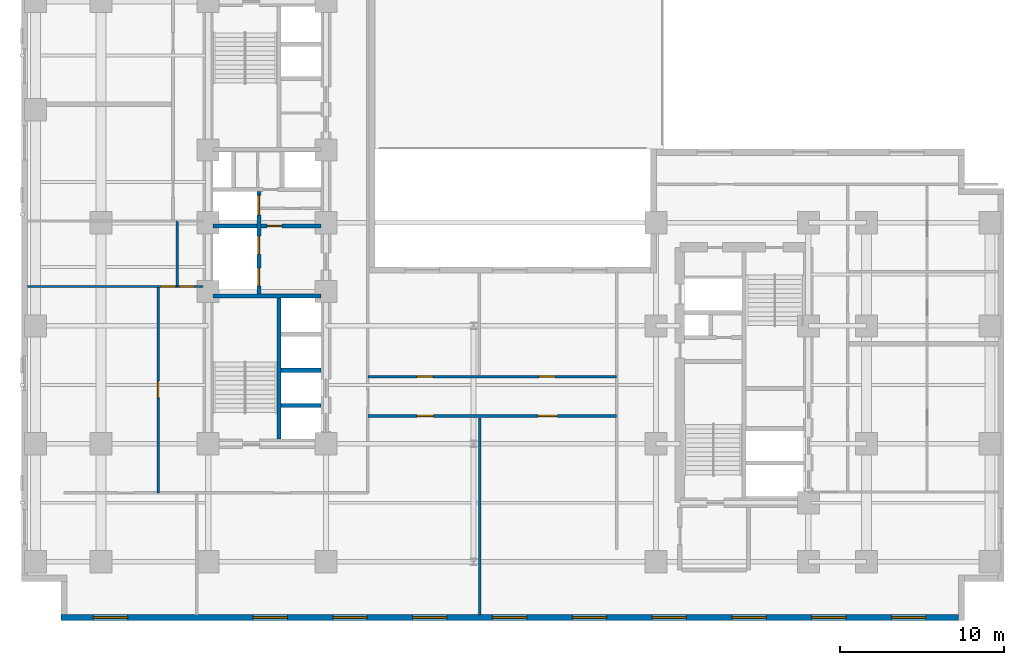
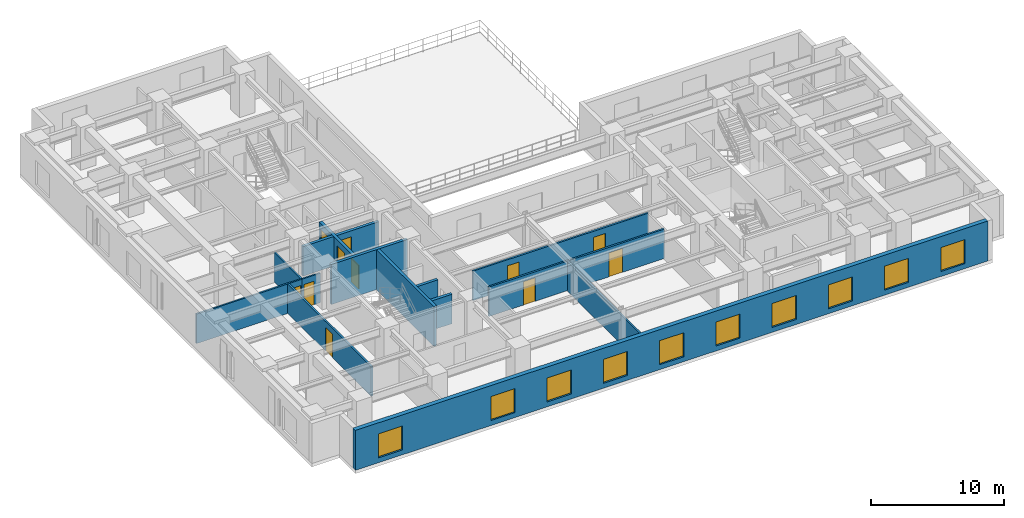
# One storey, part 3 of 10: 14 walls, 11 doors, 10 windows, 21 openings.
"""IFC4 building model written with IfcOpenShell, lengths in metres."""

from ifc_helpers import new_model, entity, si_unit, converted_unit, direction, frame, origin_with_axes, origin_2d_with_axis, place, context, subcontext, project, spatial, polyline, rectangle, outline, extrude, material, layer, layer_set, type_object, element, fill, save


model = new_model("IFC4")

# Units and contexts
model_context = context("Model", 3, precision=1e-05, world=origin_with_axes(), true_north=direction((0.0, 1.0)))
body_context = subcontext(model_context, "Body", "Model", "MODEL_VIEW")
ifc_project = project(units=[si_unit("LENGTHUNIT", "METRE"), si_unit("AREAUNIT", "SQUARE_METRE"), si_unit("VOLUMEUNIT", "CUBIC_METRE"), converted_unit("PLANEANGLEUNIT", "DEGREE", entity("IfcPlaneAngleMeasure", 0.017453292519943295), si_unit("PLANEANGLEUNIT", "RADIAN"), dimensions=[0, 0, 0, 0, 0, 0, 0]), si_unit("MASSUNIT", "GRAM", prefix="KILO"), si_unit("THERMODYNAMICTEMPERATUREUNIT", "KELVIN")], contexts=[model_context])

# Site, building, storey
site_placement = place(None, origin_with_axes())
site = spatial("IfcSite", under=ifc_project, at=site_placement, CompositionType="ELEMENT")
building_placement = place(site_placement, origin_with_axes())
building = spatial("IfcBuilding", under=site, at=building_placement, Name="Varnlund Millrace Tower", CompositionType="ELEMENT")
storey_placement = place(building_placement, frame((0.0, 0.0, 28.8), z_axis=(0.0, 0.0, 1.0), x_axis=(1.0, 0.0, 0.0)))
storey = spatial("IfcBuildingStorey", under=building, at=storey_placement, Name="L06", CompositionType="ELEMENT", Elevation=28.8)

# Wall, openings, windows
ifc_material_1 = material(Name="Precast concrete C50/60", Category="concrete")
ifc_layer_1 = layer(ifc_material_1, 0.38, Name="Precast concrete C50/60")
ifc_layer_set_1 = layer_set([ifc_layer_1], Name="Precast concrete C50/60")
wall_type_1 = type_object("IfcWallType", Name="Type-ExtWall-Precast-Tube-380", PredefinedType="SOLIDWALL", material=ifc_layer_set_1)
wall_1_placement = place(storey_placement, frame((57.22, 0.19, 0.0), z_axis=(0.0, 0.0, 1.0), x_axis=(-1.0, 0.0, 0.0)))
wall_1 = element("IfcWall", 1, at=wall_1_placement, inside=storey, type_object=wall_type_1, Name="Type-ExtWall-Precast-Tube-380", PredefinedType="SOLIDWALL", context=body_context, shape_type="SweptSolid", body=[
    extrude(outline(polyline([(0.0, -0.19), (54.82, -0.19), (54.82, 0.19), (0.0, 0.19), (0.0, -0.19)])), origin_with_axes(), (0.0, 0.0, 1.0), 3.66),
])
opening_1_placement = place(wall_1_placement, frame((3.037, 0.0, 0.45), z_axis=(0.0, 0.0, 1.0), x_axis=(1.0, 0.0, 0.0)))
opening_1 = element("IfcOpeningElement", 2, at=opening_1_placement, cuts=wall_1, Name="Opening L06:WN-05", PredefinedType="OPENING", context=body_context, shape_type="SweptSolid", body=[
    extrude(rectangle(XDim=2.1, YDim=0.4, at=origin_2d_with_axis()), origin_with_axes(), (0.0, 0.0, 1.0), 2.2),
])
opening_2_placement = place(wall_1_placement, frame((7.912, 0.0, 0.45), z_axis=(0.0, 0.0, 1.0), x_axis=(1.0, 0.0, 0.0)))
opening_2 = element("IfcOpeningElement", 3, at=opening_2_placement, cuts=wall_1, Name="Opening L06:WN-06", PredefinedType="OPENING", context=body_context, shape_type="SweptSolid", body=[
    extrude(rectangle(XDim=2.1, YDim=0.4, at=origin_2d_with_axis()), origin_with_axes(), (0.0, 0.0, 1.0), 2.2),
])
opening_3_placement = place(wall_1_placement, frame((12.786, 0.0, 0.45), z_axis=(0.0, 0.0, 1.0), x_axis=(1.0, 0.0, 0.0)))
opening_3 = element("IfcOpeningElement", 4, at=opening_3_placement, cuts=wall_1, Name="Opening L06:WN-07", PredefinedType="OPENING", context=body_context, shape_type="SweptSolid", body=[
    extrude(rectangle(XDim=2.1, YDim=0.4, at=origin_2d_with_axis()), origin_with_axes(), (0.0, 0.0, 1.0), 2.2),
])
opening_4_placement = place(wall_1_placement, frame((17.661, 0.0, 0.45), z_axis=(0.0, 0.0, 1.0), x_axis=(1.0, 0.0, 0.0)))
opening_4 = element("IfcOpeningElement", 5, at=opening_4_placement, cuts=wall_1, Name="Opening L06:WN-08", PredefinedType="OPENING", context=body_context, shape_type="SweptSolid", body=[
    extrude(rectangle(XDim=2.1, YDim=0.4, at=origin_2d_with_axis()), origin_with_axes(), (0.0, 0.0, 1.0), 2.2),
])
opening_5_placement = place(wall_1_placement, frame((22.535, 0.0, 0.45), z_axis=(0.0, 0.0, 1.0), x_axis=(1.0, 0.0, 0.0)))
opening_5 = element("IfcOpeningElement", 6, at=opening_5_placement, cuts=wall_1, Name="Opening L06:WN-09", PredefinedType="OPENING", context=body_context, shape_type="SweptSolid", body=[
    extrude(rectangle(XDim=2.1, YDim=0.4, at=origin_2d_with_axis()), origin_with_axes(), (0.0, 0.0, 1.0), 2.2),
])
opening_6_placement = place(wall_1_placement, frame((27.41, 0.0, 0.45), z_axis=(0.0, 0.0, 1.0), x_axis=(1.0, 0.0, 0.0)))
opening_6 = element("IfcOpeningElement", 7, at=opening_6_placement, cuts=wall_1, Name="Opening L06:WN-10", PredefinedType="OPENING", context=body_context, shape_type="SweptSolid", body=[
    extrude(rectangle(XDim=2.1, YDim=0.4, at=origin_2d_with_axis()), origin_with_axes(), (0.0, 0.0, 1.0), 2.2),
])
opening_7_placement = place(wall_1_placement, frame((32.285, 0.0, 0.45), z_axis=(0.0, 0.0, 1.0), x_axis=(1.0, 0.0, 0.0)))
opening_7 = element("IfcOpeningElement", 8, at=opening_7_placement, cuts=wall_1, Name="Opening L06:WN-11", PredefinedType="OPENING", context=body_context, shape_type="SweptSolid", body=[
    extrude(rectangle(XDim=2.1, YDim=0.4, at=origin_2d_with_axis()), origin_with_axes(), (0.0, 0.0, 1.0), 2.2),
])
opening_8_placement = place(wall_1_placement, frame((37.159, 0.0, 0.45), z_axis=(0.0, 0.0, 1.0), x_axis=(1.0, 0.0, 0.0)))
opening_8 = element("IfcOpeningElement", 9, at=opening_8_placement, cuts=wall_1, Name="Opening L06:WN-12", PredefinedType="OPENING", context=body_context, shape_type="SweptSolid", body=[
    extrude(rectangle(XDim=2.1, YDim=0.4, at=origin_2d_with_axis()), origin_with_axes(), (0.0, 0.0, 1.0), 2.2),
])
opening_9_placement = place(wall_1_placement, frame((42.034, 0.0, 0.45), z_axis=(0.0, 0.0, 1.0), x_axis=(1.0, 0.0, 0.0)))
opening_9 = element("IfcOpeningElement", 10, at=opening_9_placement, cuts=wall_1, Name="Opening L06:WN-13", PredefinedType="OPENING", context=body_context, shape_type="SweptSolid", body=[
    extrude(rectangle(XDim=2.1, YDim=0.4, at=origin_2d_with_axis()), origin_with_axes(), (0.0, 0.0, 1.0), 2.2),
])
opening_10_placement = place(wall_1_placement, frame((51.783, 0.0, 0.45), z_axis=(0.0, 0.0, 1.0), x_axis=(1.0, 0.0, 0.0)))
opening_10 = element("IfcOpeningElement", 11, at=opening_10_placement, cuts=wall_1, Name="Opening L06:WN-14", PredefinedType="OPENING", context=body_context, shape_type="SweptSolid", body=[
    extrude(rectangle(XDim=2.1, YDim=0.4, at=origin_2d_with_axis()), origin_with_axes(), (0.0, 0.0, 1.0), 2.2),
])
ifc_material_2 = material(Name="Argon low-e triple glazing in thermally broken bronze frame", Category="glass")
window_type = type_object("IfcWindowType", Name="Type-Window-Punched-2100X2200", PartitioningType="SINGLE_PANEL", PredefinedType="WINDOW", material=ifc_material_2)
window_1_placement = place(wall_1_placement, frame((3.037, 0.0, 0.45), z_axis=(0.0, 0.0, 1.0), x_axis=(1.0, 0.0, 0.0)))
window_1 = element("IfcWindow", 12, at=window_1_placement, inside=storey, type_object=window_type, Name="Type-Window-Punched-2100X2200", OverallHeight=2.2, OverallWidth=2.1, PredefinedType="WINDOW", context=body_context, shape_type="SweptSolid", body=[
    extrude(rectangle(XDim=2.1, YDim=0.09, at=origin_2d_with_axis()), origin_with_axes(), (0.0, 0.0, 1.0), 2.2),
])
fill(opening_1, window_1)
window_2_placement = place(wall_1_placement, frame((7.912, 0.0, 0.45), z_axis=(0.0, 0.0, 1.0), x_axis=(1.0, 0.0, 0.0)))
window_2 = element("IfcWindow", 13, at=window_2_placement, inside=storey, type_object=window_type, Name="Type-Window-Punched-2100X2200", OverallHeight=2.2, OverallWidth=2.1, PredefinedType="WINDOW", context=body_context, shape_type="SweptSolid", body=[
    extrude(rectangle(XDim=2.1, YDim=0.09, at=origin_2d_with_axis()), origin_with_axes(), (0.0, 0.0, 1.0), 2.2),
])
fill(opening_2, window_2)
window_3_placement = place(wall_1_placement, frame((12.786, 0.0, 0.45), z_axis=(0.0, 0.0, 1.0), x_axis=(1.0, 0.0, 0.0)))
window_3 = element("IfcWindow", 14, at=window_3_placement, inside=storey, type_object=window_type, Name="Type-Window-Punched-2100X2200", OverallHeight=2.2, OverallWidth=2.1, PredefinedType="WINDOW", context=body_context, shape_type="SweptSolid", body=[
    extrude(rectangle(XDim=2.1, YDim=0.09, at=origin_2d_with_axis()), origin_with_axes(), (0.0, 0.0, 1.0), 2.2),
])
fill(opening_3, window_3)
window_4_placement = place(wall_1_placement, frame((17.661, 0.0, 0.45), z_axis=(0.0, 0.0, 1.0), x_axis=(1.0, 0.0, 0.0)))
window_4 = element("IfcWindow", 15, at=window_4_placement, inside=storey, type_object=window_type, Name="Type-Window-Punched-2100X2200", OverallHeight=2.2, OverallWidth=2.1, PredefinedType="WINDOW", context=body_context, shape_type="SweptSolid", body=[
    extrude(rectangle(XDim=2.1, YDim=0.09, at=origin_2d_with_axis()), origin_with_axes(), (0.0, 0.0, 1.0), 2.2),
])
fill(opening_4, window_4)
window_5_placement = place(wall_1_placement, frame((22.535, 0.0, 0.45), z_axis=(0.0, 0.0, 1.0), x_axis=(1.0, 0.0, 0.0)))
window_5 = element("IfcWindow", 16, at=window_5_placement, inside=storey, type_object=window_type, Name="Type-Window-Punched-2100X2200", OverallHeight=2.2, OverallWidth=2.1, PredefinedType="WINDOW", context=body_context, shape_type="SweptSolid", body=[
    extrude(rectangle(XDim=2.1, YDim=0.09, at=origin_2d_with_axis()), origin_with_axes(), (0.0, 0.0, 1.0), 2.2),
])
fill(opening_5, window_5)
window_6_placement = place(wall_1_placement, frame((27.41, 0.0, 0.45), z_axis=(0.0, 0.0, 1.0), x_axis=(1.0, 0.0, 0.0)))
window_6 = element("IfcWindow", 17, at=window_6_placement, inside=storey, type_object=window_type, Name="Type-Window-Punched-2100X2200", OverallHeight=2.2, OverallWidth=2.1, PredefinedType="WINDOW", context=body_context, shape_type="SweptSolid", body=[
    extrude(rectangle(XDim=2.1, YDim=0.09, at=origin_2d_with_axis()), origin_with_axes(), (0.0, 0.0, 1.0), 2.2),
])
fill(opening_6, window_6)
window_7_placement = place(wall_1_placement, frame((32.285, 0.0, 0.45), z_axis=(0.0, 0.0, 1.0), x_axis=(1.0, 0.0, 0.0)))
window_7 = element("IfcWindow", 18, at=window_7_placement, inside=storey, type_object=window_type, Name="Type-Window-Punched-2100X2200", OverallHeight=2.2, OverallWidth=2.1, PredefinedType="WINDOW", context=body_context, shape_type="SweptSolid", body=[
    extrude(rectangle(XDim=2.1, YDim=0.09, at=origin_2d_with_axis()), origin_with_axes(), (0.0, 0.0, 1.0), 2.2),
])
fill(opening_7, window_7)
window_8_placement = place(wall_1_placement, frame((37.159, 0.0, 0.45), z_axis=(0.0, 0.0, 1.0), x_axis=(1.0, 0.0, 0.0)))
window_8 = element("IfcWindow", 19, at=window_8_placement, inside=storey, type_object=window_type, Name="Type-Window-Punched-2100X2200", OverallHeight=2.2, OverallWidth=2.1, PredefinedType="WINDOW", context=body_context, shape_type="SweptSolid", body=[
    extrude(rectangle(XDim=2.1, YDim=0.09, at=origin_2d_with_axis()), origin_with_axes(), (0.0, 0.0, 1.0), 2.2),
])
fill(opening_8, window_8)
window_9_placement = place(wall_1_placement, frame((42.034, 0.0, 0.45), z_axis=(0.0, 0.0, 1.0), x_axis=(1.0, 0.0, 0.0)))
window_9 = element("IfcWindow", 20, at=window_9_placement, inside=storey, type_object=window_type, Name="Type-Window-Punched-2100X2200", OverallHeight=2.2, OverallWidth=2.1, PredefinedType="WINDOW", context=body_context, shape_type="SweptSolid", body=[
    extrude(rectangle(XDim=2.1, YDim=0.09, at=origin_2d_with_axis()), origin_with_axes(), (0.0, 0.0, 1.0), 2.2),
])
fill(opening_9, window_9)
window_10_placement = place(wall_1_placement, frame((51.783, 0.0, 0.45), z_axis=(0.0, 0.0, 1.0), x_axis=(1.0, 0.0, 0.0)))
window_10 = element("IfcWindow", 21, at=window_10_placement, inside=storey, type_object=window_type, Name="Type-Window-Punched-2100X2200", OverallHeight=2.2, OverallWidth=2.1, PredefinedType="WINDOW", context=body_context, shape_type="SweptSolid", body=[
    extrude(rectangle(XDim=2.1, YDim=0.09, at=origin_2d_with_axis()), origin_with_axes(), (0.0, 0.0, 1.0), 2.2),
])
fill(opening_10, window_10)

# Wall, opening, door
ifc_material_3 = material(Name="Fire-rated gypsum board on cold-formed steel framing", Category="steel")
ifc_layer_2 = layer(ifc_material_3, 0.16, Name="Fire-rated gypsum board on cold-formed steel framing")
ifc_layer_set_2 = layer_set([ifc_layer_2], Name="Fire-rated gypsum board on cold-formed steel framing")
wall_type_2 = type_object("IfcWallType", Name="Type-Partition-Corridor-160", PredefinedType="PARTITIONING", material=ifc_layer_set_2)
wall_2_placement = place(storey_placement, frame((8.35, 7.8, 0.0), z_axis=(0.0, 0.0, 1.0), x_axis=(0.0, 1.0, 0.0)))
wall_2 = element("IfcWall", 22, at=wall_2_placement, inside=storey, type_object=wall_type_2, Name="Type-Partition-Corridor-160", PredefinedType="PARTITIONING", context=body_context, shape_type="SweptSolid", body=[
    extrude(outline(polyline([(0.0, -0.08), (12.6, -0.08), (12.6, 0.08), (0.0, 0.08), (0.0, -0.08)])), origin_with_axes(), (0.0, 0.0, 1.0), 2.7),
])
opening_11_placement = place(wall_2_placement, frame((6.325, 0.0, 0.0), z_axis=(0.0, 0.0, 1.0), x_axis=(1.0, 0.0, 0.0)))
opening_11 = element("IfcOpeningElement", 23, at=opening_11_placement, cuts=wall_2, Name="Opening L06:DR-WS-01", PredefinedType="OPENING", context=body_context, shape_type="SweptSolid", body=[
    extrude(rectangle(XDim=1.0, YDim=0.18, at=origin_2d_with_axis()), origin_with_axes(), (0.0, 0.0, 1.0), 2.15),
])
ifc_material_4 = material(Name="Solid-core white oak and bronze frame door")
door_type_1 = type_object("IfcDoorType", Name="Type-IntDoor-Office-1000X2150", OperationType="NOTDEFINED", PredefinedType="DOOR", material=ifc_material_4)
door_1_placement = place(wall_2_placement, frame((6.325, 0.0, 0.0), z_axis=(0.0, 0.0, 1.0), x_axis=(1.0, 0.0, 0.0)))
door_1 = element("IfcDoor", 24, at=door_1_placement, inside=storey, type_object=door_type_1, Name="Type-IntDoor-Office-1000X2150", OperationType="SINGLE_SWING_LEFT", OverallHeight=2.15, OverallWidth=1.0, PredefinedType="DOOR", context=body_context, shape_type="SweptSolid", body=[
    extrude(rectangle(XDim=1.0, YDim=0.09, at=origin_2d_with_axis()), origin_with_axes(), (0.0, 0.0, 1.0), 2.15),
])
fill(opening_11, door_1)

# Wall, openings, doors
wall_3_placement = place(storey_placement, frame((21.15, 12.5, 0.0), z_axis=(0.0, 0.0, 1.0), x_axis=(1.0, 0.0, 0.0)))
wall_3 = element("IfcWall", 25, at=wall_3_placement, inside=storey, type_object=wall_type_2, Name="Type-Partition-Corridor-160", PredefinedType="PARTITIONING", context=body_context, shape_type="SweptSolid", body=[
    extrude(outline(polyline([(0.0, -0.08), (15.2, -0.08), (15.2, 0.08), (0.0, 0.08), (0.0, -0.08)])), origin_with_axes(), (0.0, 0.0, 1.0), 2.7),
])
opening_12_placement = place(wall_3_placement, frame((3.508, 0.0, 0.0), z_axis=(0.0, 0.0, 1.0), x_axis=(1.0, 0.0, 0.0)))
opening_12 = element("IfcOpeningElement", 26, at=opening_12_placement, cuts=wall_3, Name="Opening L06:DR-KNS-01", PredefinedType="OPENING", context=body_context, shape_type="SweptSolid", body=[
    extrude(rectangle(XDim=1.0, YDim=0.18, at=origin_2d_with_axis()), origin_with_axes(), (0.0, 0.0, 1.0), 2.15),
])
opening_13_placement = place(wall_3_placement, frame((10.978, 0.0, 0.0), z_axis=(0.0, 0.0, 1.0), x_axis=(1.0, 0.0, 0.0)))
opening_13 = element("IfcOpeningElement", 27, at=opening_13_placement, cuts=wall_3, Name="Opening L06:DR-KNS-02", PredefinedType="OPENING", context=body_context, shape_type="SweptSolid", body=[
    extrude(rectangle(XDim=1.2, YDim=0.18, at=origin_2d_with_axis()), origin_with_axes(), (0.0, 0.0, 1.0), 2.2),
])
ifc_material_5 = material(Name="Wide executive white oak acoustic door")
door_type_2 = type_object("IfcDoorType", Name="Type-IntDoor-Exec-1200X2200", OperationType="NOTDEFINED", PredefinedType="DOOR", material=ifc_material_5)
door_2_placement = place(wall_3_placement, frame((10.978, 0.0, 0.0), z_axis=(0.0, 0.0, 1.0), x_axis=(1.0, 0.0, 0.0)))
door_2 = element("IfcDoor", 28, at=door_2_placement, inside=storey, type_object=door_type_2, Name="Type-IntDoor-Exec-1200X2200", OperationType="SINGLE_SWING_RIGHT", OverallHeight=2.2, OverallWidth=1.2, PredefinedType="DOOR", context=body_context, shape_type="SweptSolid", body=[
    extrude(rectangle(XDim=1.2, YDim=0.09, at=origin_2d_with_axis()), origin_with_axes(), (0.0, 0.0, 1.0), 2.2),
])
fill(opening_13, door_2)
door_3_placement = place(wall_3_placement, frame((3.508, 0.0, 0.0), z_axis=(0.0, 0.0, 1.0), x_axis=(1.0, 0.0, 0.0)))
door_3 = element("IfcDoor", 29, at=door_3_placement, inside=storey, type_object=door_type_1, Name="Type-IntDoor-Office-1000X2150", OperationType="SINGLE_SWING_LEFT", OverallHeight=2.15, OverallWidth=1.0, PredefinedType="DOOR", context=body_context, shape_type="SweptSolid", body=[
    extrude(rectangle(XDim=1.0, YDim=0.09, at=origin_2d_with_axis()), origin_with_axes(), (0.0, 0.0, 1.0), 2.15),
])
fill(opening_12, door_3)

wall_4_placement = place(storey_placement, frame((21.15, 14.9, 0.0), z_axis=(0.0, 0.0, 1.0), x_axis=(1.0, 0.0, 0.0)))
wall_4 = element("IfcWall", 30, at=wall_4_placement, inside=storey, type_object=wall_type_2, Name="Type-Partition-Corridor-160", PredefinedType="PARTITIONING", context=body_context, shape_type="SweptSolid", body=[
    extrude(outline(polyline([(0.0, -0.08), (15.2, -0.08), (15.2, 0.08), (0.0, 0.08), (0.0, -0.08)])), origin_with_axes(), (0.0, 0.0, 1.0), 2.7),
])
opening_14_placement = place(wall_4_placement, frame((3.4895, 0.0, 0.0), z_axis=(0.0, 0.0, 1.0), x_axis=(1.0, 0.0, 0.0)))
opening_14 = element("IfcOpeningElement", 31, at=opening_14_placement, cuts=wall_4, Name="Opening L06:DR-KN-01", PredefinedType="OPENING", context=body_context, shape_type="SweptSolid", body=[
    extrude(rectangle(XDim=1.0, YDim=0.18, at=origin_2d_with_axis()), origin_with_axes(), (0.0, 0.0, 1.0), 2.15),
])
opening_15_placement = place(wall_4_placement, frame((10.9595, 0.0, 0.0), z_axis=(0.0, 0.0, 1.0), x_axis=(1.0, 0.0, 0.0)))
opening_15 = element("IfcOpeningElement", 32, at=opening_15_placement, cuts=wall_4, Name="Opening L06:DR-KN-02", PredefinedType="OPENING", context=body_context, shape_type="SweptSolid", body=[
    extrude(rectangle(XDim=1.0, YDim=0.18, at=origin_2d_with_axis()), origin_with_axes(), (0.0, 0.0, 1.0), 2.15),
])
door_4_placement = place(wall_4_placement, frame((3.4895, 0.0, 0.0), z_axis=(0.0, 0.0, 1.0), x_axis=(1.0, 0.0, 0.0)))
door_4 = element("IfcDoor", 33, at=door_4_placement, inside=storey, type_object=door_type_1, Name="Type-IntDoor-Office-1000X2150", OperationType="SINGLE_SWING_LEFT", OverallHeight=2.15, OverallWidth=1.0, PredefinedType="DOOR", context=body_context, shape_type="SweptSolid", body=[
    extrude(rectangle(XDim=1.0, YDim=0.09, at=origin_2d_with_axis()), origin_with_axes(), (0.0, 0.0, 1.0), 2.15),
])
fill(opening_14, door_4)
door_5_placement = place(wall_4_placement, frame((10.9595, 0.0, 0.0), z_axis=(0.0, 0.0, 1.0), x_axis=(1.0, 0.0, 0.0)))
door_5 = element("IfcDoor", 34, at=door_5_placement, inside=storey, type_object=door_type_1, Name="Type-IntDoor-Office-1000X2150", OperationType="SINGLE_SWING_RIGHT", OverallHeight=2.15, OverallWidth=1.0, PredefinedType="DOOR", context=body_context, shape_type="SweptSolid", body=[
    extrude(rectangle(XDim=1.0, YDim=0.09, at=origin_2d_with_axis()), origin_with_axes(), (0.0, 0.0, 1.0), 2.15),
])
fill(opening_15, door_5)

# Walls
ifc_material_6 = material(Name="Acoustic STC-50 gypsum board partition", Category="gypsum")
ifc_layer_3 = layer(ifc_material_6, 0.15, Name="Acoustic STC-50 gypsum board partition")
ifc_layer_set_3 = layer_set([ifc_layer_3], Name="Acoustic STC-50 gypsum board partition")
wall_type_3 = type_object("IfcWallType", Name="Type-Partition-Demising-150", PredefinedType="PARTITIONING", material=ifc_layer_set_3)
wall_5_placement = place(storey_placement, frame((27.986, 0.36, 0.0), z_axis=(0.0, 0.0, 1.0), x_axis=(0.0, 1.0, 0.0)))
element("IfcWall", 35, at=wall_5_placement, inside=storey, type_object=wall_type_3, Name="Type-Partition-Demising-150", PredefinedType="PARTITIONING", context=body_context, shape_type="SweptSolid", body=[
    extrude(outline(polyline([(0.0, -0.075), (12.02, -0.075), (12.02, 0.075), (0.0, 0.075), (0.0, -0.075)])), origin_with_axes(), (0.0, 0.0, 1.0), 2.7),
])
ifc_material_7 = material(Name="Moisture-resistant gypsum restroom partition", Category="gypsum")
ifc_layer_4 = layer(ifc_material_7, 0.14, Name="Moisture-resistant gypsum restroom partition")
ifc_layer_set_4 = layer_set([ifc_layer_4], Name="Moisture-resistant gypsum restroom partition")
wall_type_4 = type_object("IfcWallType", Name="Type-Partition-Wet-140", PredefinedType="PARTITIONING", material=ifc_layer_set_4)
wall_6_placement = place(storey_placement, frame((9.52, 20.4, 0.0), z_axis=(0.0, 0.0, 1.0), x_axis=(0.0, 1.0, 0.0)))
element("IfcWall", 36, at=wall_6_placement, inside=storey, type_object=wall_type_4, Name="Type-Partition-Wet-140", PredefinedType="PARTITIONING", context=body_context, shape_type="SweptSolid", body=[
    extrude(outline(polyline([(0.0, -0.07), (4.0, -0.07), (4.0, 0.07), (0.0, 0.07), (0.0, -0.07)])), origin_with_axes(), (0.0, 0.0, 1.0), 2.7),
])

# Wall, opening, door
wall_7_placement = place(storey_placement, frame((9.52, 20.4, 0.0), z_axis=(0.0, 0.0, 1.0), x_axis=(1.0, 0.0, 0.0)))
wall_7 = element("IfcWall", 37, at=wall_7_placement, inside=storey, type_object=wall_type_4, Name="Type-Partition-Wet-140", PredefinedType="PARTITIONING", context=body_context, shape_type="SweptSolid", body=[
    extrude(outline(polyline([(0.0, -0.07), (1.58, -0.07), (1.58, 0.07), (0.0, 0.07), (0.0, -0.07)])), origin_with_axes(), (0.0, 0.0, 1.0), 2.7),
])
opening_16_placement = place(wall_7_placement, frame((0.59, 0.0, 0.0), z_axis=(0.0, 0.0, 1.0), x_axis=(1.0, 0.0, 0.0)))
opening_16 = element("IfcOpeningElement", 38, at=opening_16_placement, cuts=wall_7, Name="Opening L06:DR-CA-WCW", PredefinedType="OPENING", context=body_context, shape_type="SweptSolid", body=[
    extrude(rectangle(XDim=0.9, YDim=0.16, at=origin_2d_with_axis()), origin_with_axes(), (0.0, 0.0, 1.0), 2.15),
])
ifc_material_8 = material(Name="Painted steel riser and closet door", Category="steel")
door_type_3 = type_object("IfcDoorType", Name="Type-IntDoor-Closet-900X2150", OperationType="NOTDEFINED", PredefinedType="DOOR", material=ifc_material_8)
door_6_placement = place(wall_7_placement, frame((0.59, 0.0, 0.0), z_axis=(0.0, 0.0, 1.0), x_axis=(1.0, 0.0, 0.0)))
door_6 = element("IfcDoor", 39, at=door_6_placement, inside=storey, type_object=door_type_3, Name="Type-IntDoor-Closet-900X2150", OperationType="SINGLE_SWING_LEFT", OverallHeight=2.15, OverallWidth=0.9, PredefinedType="DOOR", context=body_context, shape_type="SweptSolid", body=[
    extrude(rectangle(XDim=0.9, YDim=0.084, at=origin_2d_with_axis()), origin_with_axes(), (0.0, 0.0, 1.0), 2.15),
])
fill(opening_16, door_6)

wall_8_placement = place(storey_placement, frame((0.36, 20.4, 0.0), z_axis=(0.0, 0.0, 1.0), x_axis=(1.0, 0.0, 0.0)))
wall_8 = element("IfcWall", 40, at=wall_8_placement, inside=storey, type_object=wall_type_4, Name="Type-Partition-Wet-140", PredefinedType="PARTITIONING", context=body_context, shape_type="SweptSolid", body=[
    extrude(outline(polyline([(0.0, -0.07), (9.16, -0.07), (9.16, 0.07), (0.0, 0.07), (0.0, -0.07)])), origin_with_axes(), (0.0, 0.0, 1.0), 2.7),
])
opening_17_placement = place(wall_8_placement, frame((8.59, 0.0, 0.0), z_axis=(0.0, 0.0, 1.0), x_axis=(1.0, 0.0, 0.0)))
opening_17 = element("IfcOpeningElement", 41, at=opening_17_placement, cuts=wall_8, Name="Opening L06:DR-W-MIDR", PredefinedType="OPENING", context=body_context, shape_type="SweptSolid", body=[
    extrude(rectangle(XDim=0.9, YDim=0.16, at=origin_2d_with_axis()), origin_with_axes(), (0.0, 0.0, 1.0), 2.15),
])
door_7_placement = place(wall_8_placement, frame((8.59, 0.0, 0.0), z_axis=(0.0, 0.0, 1.0), x_axis=(1.0, 0.0, 0.0)))
door_7 = element("IfcDoor", 42, at=door_7_placement, inside=storey, type_object=door_type_3, Name="Type-IntDoor-Closet-900X2150", OperationType="SINGLE_SWING_LEFT", OverallHeight=2.15, OverallWidth=0.9, PredefinedType="DOOR", context=body_context, shape_type="SweptSolid", body=[
    extrude(rectangle(XDim=0.9, YDim=0.084, at=origin_2d_with_axis()), origin_with_axes(), (0.0, 0.0, 1.0), 2.15),
])
fill(opening_17, door_7)

# Wall, openings, doors
ifc_material_9 = material(Name="Concrete C60/75", Category="concrete")
ifc_layer_5 = layer(ifc_material_9, 0.25, Name="Concrete C60/75")
ifc_layer_set_5 = layer_set([ifc_layer_5], Name="Concrete C60/75")
wall_type_5 = type_object("IfcWallType", Name="Type-ShaftWall-Fire-250", PredefinedType="SOLIDWALL", material=ifc_layer_set_5)
wall_9_placement = place(storey_placement, frame((14.5, 19.95, 0.0), z_axis=(0.0, 0.0, 1.0), x_axis=(0.0, 1.0, 0.0)))
wall_9 = element("IfcWall", 43, at=wall_9_placement, inside=storey, type_object=wall_type_5, Name="Type-ShaftWall-Fire-250", PredefinedType="SOLIDWALL", context=body_context, shape_type="SweptSolid", body=[
    extrude(outline(polyline([(0.0, -0.125), (6.25, -0.125), (6.25, 0.125), (0.0, 0.125), (0.0, -0.125)])), origin_with_axes(), (0.0, 0.0, 1.0), 2.7),
])
opening_18_placement = place(wall_9_placement, frame((1.025, 0.0, 0.0), z_axis=(0.0, 0.0, 1.0), x_axis=(1.0, 0.0, 0.0)))
opening_18 = element("IfcOpeningElement", 44, at=opening_18_placement, cuts=wall_9, Name="Opening L06:LD-FSAE1", PredefinedType="OPENING", context=body_context, shape_type="SweptSolid", body=[
    extrude(rectangle(XDim=1.1, YDim=0.27, at=origin_2d_with_axis()), origin_with_axes(), (0.0, 0.0, 1.0), 2.15),
])
opening_19_placement = place(wall_9_placement, frame((2.975, 0.0, 0.0), z_axis=(0.0, 0.0, 1.0), x_axis=(1.0, 0.0, 0.0)))
opening_19 = element("IfcOpeningElement", 45, at=opening_19_placement, cuts=wall_9, Name="Opening L06:LD-FSAE2", PredefinedType="OPENING", context=body_context, shape_type="SweptSolid", body=[
    extrude(rectangle(XDim=1.1, YDim=0.27, at=origin_2d_with_axis()), origin_with_axes(), (0.0, 0.0, 1.0), 2.15),
])
opening_20_placement = place(wall_9_placement, frame((5.425, 0.0, 0.0), z_axis=(0.0, 0.0, 1.0), x_axis=(1.0, 0.0, 0.0)))
opening_20 = element("IfcOpeningElement", 46, at=opening_20_placement, cuts=wall_9, Name="Opening L06:LD-SRV1", PredefinedType="OPENING", context=body_context, shape_type="SweptSolid", body=[
    extrude(rectangle(XDim=1.2, YDim=0.27, at=origin_2d_with_axis()), origin_with_axes(), (0.0, 0.0, 1.0), 2.15),
])
ifc_material_10 = material(Name="Stainless and architectural bronze sliding landing door")
door_type_4 = type_object("IfcDoorType", Name="Type-LiftLandingDoor-1100X2150", OperationType="NOTDEFINED", PredefinedType="DOOR", material=ifc_material_10)
door_8_placement = place(wall_9_placement, frame((1.025, 0.0, 0.0), z_axis=(0.0, 0.0, 1.0), x_axis=(1.0, 0.0, 0.0)))
door_8 = element("IfcDoor", 47, at=door_8_placement, inside=storey, type_object=door_type_4, Name="Type-LiftLandingDoor-1100X2150", OperationType="SLIDING_TO_LEFT", OverallHeight=2.15, OverallWidth=1.1, PredefinedType="DOOR", context=body_context, shape_type="SweptSolid", body=[
    extrude(rectangle(XDim=1.1, YDim=0.09, at=origin_2d_with_axis()), origin_with_axes(), (0.0, 0.0, 1.0), 2.15),
])
fill(opening_18, door_8)
door_9_placement = place(wall_9_placement, frame((2.975, 0.0, 0.0), z_axis=(0.0, 0.0, 1.0), x_axis=(1.0, 0.0, 0.0)))
door_9 = element("IfcDoor", 48, at=door_9_placement, inside=storey, type_object=door_type_4, Name="Type-LiftLandingDoor-1100X2150", OperationType="SLIDING_TO_RIGHT", OverallHeight=2.15, OverallWidth=1.1, PredefinedType="DOOR", context=body_context, shape_type="SweptSolid", body=[
    extrude(rectangle(XDim=1.1, YDim=0.09, at=origin_2d_with_axis()), origin_with_axes(), (0.0, 0.0, 1.0), 2.15),
])
fill(opening_19, door_9)
ifc_material_11 = material(Name="Heavy-duty freight sliding landing door")
door_type_5 = type_object("IfcDoorType", Name="Type-LiftLandingDoor-Service-1200X2150", OperationType="NOTDEFINED", PredefinedType="DOOR", material=ifc_material_11)
door_10_placement = place(wall_9_placement, frame((5.425, 0.0, 0.0), z_axis=(0.0, 0.0, 1.0), x_axis=(1.0, 0.0, 0.0)))
door_10 = element("IfcDoor", 49, at=door_10_placement, inside=storey, type_object=door_type_5, Name="Type-LiftLandingDoor-Service-1200X2150", OperationType="DOUBLE_DOOR_SLIDING", OverallHeight=2.15, OverallWidth=1.2, PredefinedType="DOOR", context=body_context, shape_type="SweptSolid", body=[
    extrude(rectangle(XDim=1.2, YDim=0.09, at=origin_2d_with_axis()), origin_with_axes(), (0.0, 0.0, 1.0), 2.15),
])
fill(opening_20, door_10)

# Wall, opening, door
wall_10_placement = place(storey_placement, frame((11.7, 24.1, 0.0), z_axis=(0.0, 0.0, 1.0), x_axis=(1.0, 0.0, 0.0)))
wall_10 = element("IfcWall", 50, at=wall_10_placement, inside=storey, type_object=wall_type_5, Name="Type-ShaftWall-Fire-250", PredefinedType="SOLIDWALL", context=body_context, shape_type="SweptSolid", body=[
    extrude(outline(polyline([(0.0, -0.125), (6.6, -0.125), (6.6, 0.125), (0.0, 0.125), (0.0, -0.125)])), origin_with_axes(), (0.0, 0.0, 1.0), 2.7),
])
opening_21_placement = place(wall_10_placement, frame((3.75, 0.0, 0.0), z_axis=(0.0, 0.0, 1.0), x_axis=(1.0, 0.0, 0.0)))
opening_21 = element("IfcOpeningElement", 51, at=opening_21_placement, cuts=wall_10, Name="Opening L06:DR-CA-SUB1", PredefinedType="OPENING", context=body_context, shape_type="SweptSolid", body=[
    extrude(rectangle(XDim=0.9, YDim=0.27, at=origin_2d_with_axis()), origin_with_axes(), (0.0, 0.0, 1.0), 2.15),
])
ifc_material_12 = material(Name="Fire-rated hollow steel service closet door", Category="steel")
door_type_6 = type_object("IfcDoorType", Name="Type-FireDoor-Closet-900X2150", OperationType="NOTDEFINED", PredefinedType="DOOR", material=ifc_material_12)
door_11_placement = place(wall_10_placement, frame((3.75, 0.0, 0.0), z_axis=(0.0, 0.0, 1.0), x_axis=(1.0, 0.0, 0.0)))
door_11 = element("IfcDoor", 52, at=door_11_placement, inside=storey, type_object=door_type_6, Name="Type-FireDoor-Closet-900X2150", OperationType="SINGLE_SWING_LEFT", OverallHeight=2.15, OverallWidth=0.9, PredefinedType="DOOR", context=body_context, shape_type="SweptSolid", body=[
    extrude(rectangle(XDim=0.9, YDim=0.09, at=origin_2d_with_axis()), origin_with_axes(), (0.0, 0.0, 1.0), 2.15),
])
fill(opening_21, door_11)

# Walls
for number, where, z_axis, x_axis, name in (
    (53, (15.84, 13.13, 0.0), (0.0, 0.0, 1.0), (1.0, 0.0, 0.0), "Type-ShaftWall-Fire-250"),
    (54, (15.84, 15.29, 0.0), (0.0, 0.0, 1.0), (1.0, 0.0, 0.0), "Type-ShaftWall-Fire-250"),
):
    element("IfcWall", number, at=place(storey_placement, frame(where, z_axis=z_axis, x_axis=x_axis)), inside=storey, type_object=wall_type_5, Name=name, PredefinedType="SOLIDWALL", context=body_context, shape_type="SweptSolid", body=[
        extrude(outline(polyline([(0.0, -0.125), (2.46, -0.125), (2.46, 0.125), (0.0, 0.125), (0.0, -0.125)])), origin_with_axes(), (0.0, 0.0, 1.0), 2.7),
    ])
wall_type_6 = type_object("IfcWallType", Name="Type-StairWall-Shear-250", PredefinedType="SHEAR", material=ifc_layer_set_5)
wall_11_placement = place(storey_placement, frame((15.725, 11.1, 0.0), z_axis=(0.0, 0.0, 1.0), x_axis=(0.0, 1.0, 0.0)))
element("IfcWall", 55, at=wall_11_placement, inside=storey, type_object=wall_type_6, Name="Type-StairWall-Shear-250", PredefinedType="SHEAR", context=body_context, shape_type="SweptSolid", body=[
    extrude(outline(polyline([(0.0, -0.125), (8.6, -0.125), (8.6, 0.125), (0.0, 0.125), (0.0, -0.125)])), origin_with_axes(), (0.0, 0.0, 1.0), 3.66),
])
wall_12_placement = place(storey_placement, frame((11.7, 19.825, 0.0), z_axis=(0.0, 0.0, 1.0), x_axis=(1.0, 0.0, 0.0)))
element("IfcWall", 56, at=wall_12_placement, inside=storey, type_object=wall_type_6, Name="Type-StairWall-Shear-250", PredefinedType="SHEAR", context=body_context, shape_type="SweptSolid", body=[
    extrude(outline(polyline([(0.0, -0.125), (6.6, -0.125), (6.6, 0.125), (0.0, 0.125), (0.0, -0.125)])), origin_with_axes(), (0.0, 0.0, 1.0), 3.66),
])

save(model, "model.ifc")
